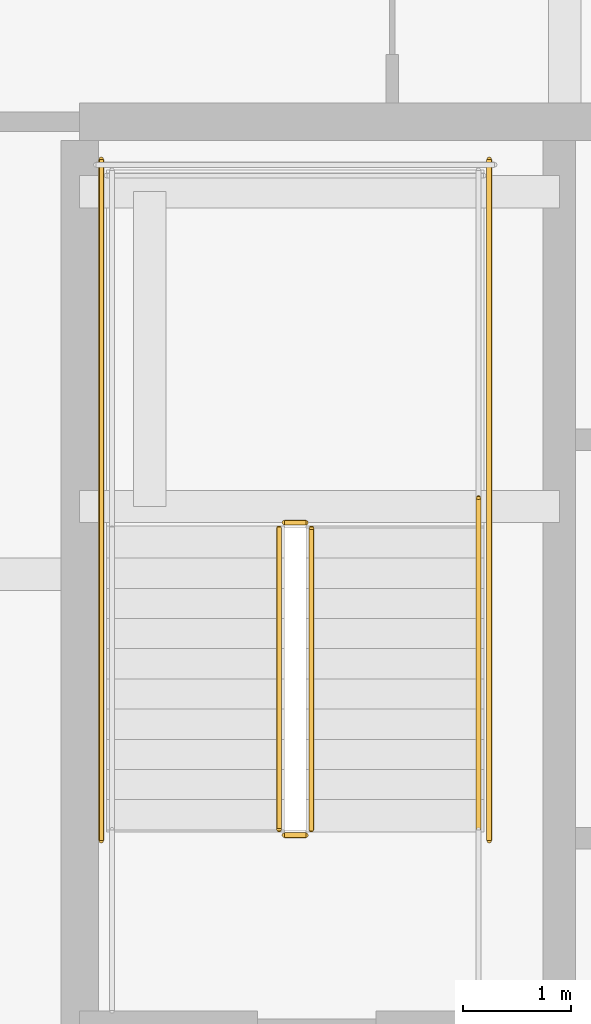
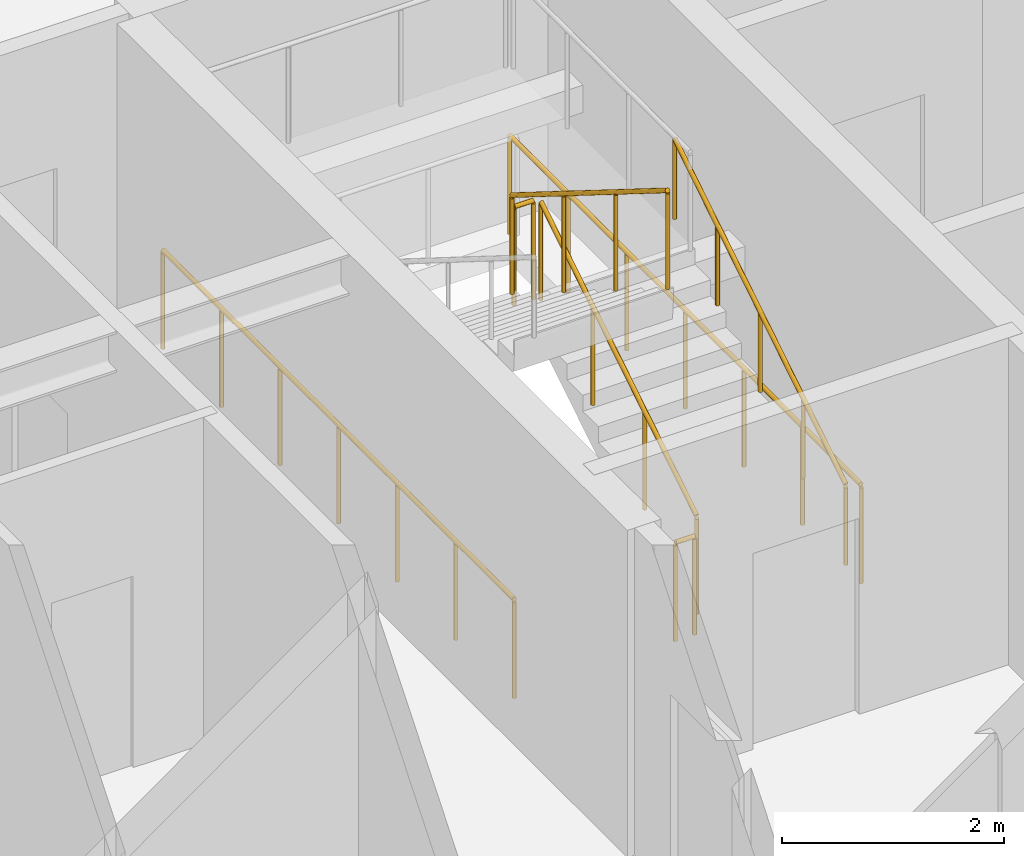
# One storey, part 34 of 37: 7 railings.
"""IFC4 building model written with IfcOpenShell, lengths in metres."""

from ifc_helpers import new_model, si_unit, direction, frame, origin, origin_2d, place, context, subcontext, project, spatial, circle, extrude, material, type_object, element, save


model = new_model("IFC4")

# Units and contexts
model_context = context("Model", 3, precision=1e-05, world=origin(), true_north=direction((0.0, 1.0)))
body_context = subcontext(model_context, "Body", "Model", "MODEL_VIEW")
ifc_project = project(units=[si_unit("LENGTHUNIT", "METRE"), si_unit("AREAUNIT", "SQUARE_METRE"), si_unit("VOLUMEUNIT", "CUBIC_METRE"), si_unit("PLANEANGLEUNIT", "RADIAN"), si_unit("MASSUNIT", "GRAM", prefix="KILO")], contexts=[model_context])

# Site, building, storey
site_placement = place(None, origin())
site = spatial("IfcSite", under=ifc_project, at=site_placement, CompositionType="ELEMENT")
building_placement = place(site_placement, origin())
building = spatial("IfcBuilding", under=site, at=building_placement, Name="Serunith Strait Residences", CompositionType="ELEMENT")
storey_placement = place(building_placement, frame((0.0, 0.0, 275.89990234375)))
storey = spatial("IfcBuildingStorey", under=building, at=storey_placement, Name="L69", CompositionType="ELEMENT", Elevation=275.89990234375)

# Railings
ifc_material = material(Name="Brushed stainless steel 316L", Category="steel")
railing_type_1 = type_object("IfcRailingType", Name="RLG-STAIR-GUARD", PredefinedType="BALUSTRADE", material=ifc_material)
railing_1_placement = place(storey_placement, frame((25.550048828125, 27.030029296875, 0.175048828125)))
element("IfcRailing", 1, at=railing_1_placement, inside=storey, type_object=railing_type_1, Name="L69 ST-1 stair guard 1", PredefinedType="BALUSTRADE", context=body_context, shape_type="SweptSolid", body=[
    extrude(circle(Radius=0.02392578125, at=origin_2d()), frame((0.0, 0.001708984375, 1.0771484375), z_axis=(0.0, 0.848002457836, 0.529992293815), x_axis=(-1.0, 0.0, 0.0)), (0.0, 0.0, 1.0), 3.2978515625),
    extrude(circle(Radius=0.02099609375, at=origin_2d()), origin(), (0.0, 0.0, 1.0), 1.050048828125),
    extrude(circle(Radius=0.02099609375, at=origin_2d()), frame((0.0, 0.933349609375, 0.583251953125)), (0.0, 0.0, 1.0), 1.050048828125),
    extrude(circle(Radius=0.02099609375, at=origin_2d()), frame((0.0, 1.86669921875, 1.166748046875)), (0.0, 0.0, 1.0), 1.050048828125),
    extrude(circle(Radius=0.02099609375, at=origin_2d()), frame((0.0, 2.800048828125, 1.75)), (0.0, 0.0, 1.0), 1.050048828125),
])
railing_2_placement = place(storey_placement, frame((25.5, 29.8798828125, 1.925048828125)))
element("IfcRailing", 2, at=railing_2_placement, inside=storey, type_object=railing_type_1, Name="L69 ST-1 stair guard 2", PredefinedType="BALUSTRADE", context=body_context, shape_type="SweptSolid", body=[
    extrude(circle(Radius=0.02392578125, at=origin_2d()), frame((-0.001953125, 0.0, 1.076171875), z_axis=(-1.0, 0.0, 0.0), x_axis=(0.0, -1.0, 0.0)), (0.0, 0.0, 1.0), 0.196044921875),
    extrude(circle(Radius=0.02099609375, at=origin_2d()), origin(), (0.0, 0.0, 1.0), 1.050048828125),
    extrude(circle(Radius=0.02099609375, at=origin_2d()), frame((-0.199951171875, 0.0, 0.0)), (0.0, 0.0, 1.0), 1.050048828125),
])
railing_3_placement = place(storey_placement, frame((25.25, 29.830078125, 2.10009765625)))
element("IfcRailing", 3, at=railing_3_placement, inside=storey, type_object=railing_type_1, Name="L69 ST-1 stair guard 6", PredefinedType="BALUSTRADE", context=body_context, shape_type="SweptSolid", body=[
    extrude(circle(Radius=0.02392578125, at=origin_2d()), frame((0.0, -0.001708984375, 1.0771484375), z_axis=(0.0, -0.848002457836, 0.529992293815), x_axis=(1.0, 0.0, 0.0)), (0.0, 0.0, 1.0), 3.2978515625),
    extrude(circle(Radius=0.02099609375, at=origin_2d()), origin(), (0.0, 0.0, 1.0), 1.050048828125),
    extrude(circle(Radius=0.02099609375, at=origin_2d()), frame((0.0, -0.933349609375, 0.583251953125)), (0.0, 0.0, 1.0), 1.050048828125),
    extrude(circle(Radius=0.02099609375, at=origin_2d()), frame((0.0, -1.86669921875, 1.166748046875)), (0.0, 0.0, 1.0), 1.050048828125),
    extrude(circle(Radius=0.02099609375, at=origin_2d()), frame((0.0, -2.800048828125, 1.75)), (0.0, 0.0, 1.0), 1.050048828125),
])
railing_4_placement = place(storey_placement, frame((25.5, 26.97998046875, 0.0)))
element("IfcRailing", 4, at=railing_4_placement, inside=storey, type_object=railing_type_1, Name="L69 ST-1 stair guard 7", PredefinedType="BALUSTRADE", context=body_context, shape_type="SweptSolid", body=[
    extrude(circle(Radius=0.02392578125, at=origin_2d()), frame((-0.001953125, 0.0, 1.076171875), z_axis=(-1.0, 0.0, 0.0), x_axis=(0.0, -1.0, 0.0)), (0.0, 0.0, 1.0), 0.196044921875),
    extrude(circle(Radius=0.02099609375, at=origin_2d()), origin(), (0.0, 0.0, 1.0), 1.050048828125),
    extrude(circle(Radius=0.02099609375, at=origin_2d()), frame((-0.199951171875, 0.0, 0.0)), (0.0, 0.0, 1.0), 1.050048828125),
])
for number, where, name in (
    (5, (27.199951171875, 26.929931640625, 0.0), "L69 ST-1 stair guard 10"),
    (6, (23.60009765625, 26.929931640625, 0.0), "L69 ST-1 stair guard 11"),
):
    element("IfcRailing", number, at=place(storey_placement, frame(where)), inside=storey, type_object=railing_type_1, Name=name, PredefinedType="BALUSTRADE", context=body_context, shape_type="SweptSolid", body=[
        extrude(circle(Radius=0.02392578125, at=origin_2d()), frame((0.0, 0.001953125, 1.076171875), z_axis=(0.0, 1.0, 0.0), x_axis=(-1.0, 0.0, 0.0)), (0.0, 0.0, 1.0), 6.316162109375),
        extrude(circle(Radius=0.02099609375, at=origin_2d()), origin(), (0.0, 0.0, 1.0), 1.050048828125),
        extrude(circle(Radius=0.02099609375, at=origin_2d()), frame((0.0, 1.05322265625, 0.0)), (0.0, 0.0, 1.0), 1.050048828125),
        extrude(circle(Radius=0.02099609375, at=origin_2d()), frame((0.0, 2.106689453125, 0.0)), (0.0, 0.0, 1.0), 1.050048828125),
        extrude(circle(Radius=0.02099609375, at=origin_2d()), frame((0.0, 3.16015625, 0.0)), (0.0, 0.0, 1.0), 1.050048828125),
        extrude(circle(Radius=0.02099609375, at=origin_2d()), frame((0.0, 4.21337890625, 0.0)), (0.0, 0.0, 1.0), 1.050048828125),
        extrude(circle(Radius=0.02099609375, at=origin_2d()), frame((0.0, 5.2666015625, 0.0)), (0.0, 0.0, 1.0), 1.050048828125),
        extrude(circle(Radius=0.02099609375, at=origin_2d()), frame((0.0, 6.320068359375, 0.0)), (0.0, 0.0, 1.0), 1.050048828125),
    ])
railing_type_2 = type_object("IfcRailingType", Name="RLG-STAIR-HR", PredefinedType="HANDRAIL", material=ifc_material)
railing_5_placement = place(storey_placement, frame((27.10009765625, 27.030029296875, 0.175048828125)))
element("IfcRailing", 7, at=railing_5_placement, inside=storey, type_object=railing_type_2, Name="L69 ST-1 stair handrail 1", PredefinedType="HANDRAIL", context=body_context, shape_type="SweptSolid", body=[
    extrude(circle(Radius=0.02392578125, at=origin_2d()), frame((0.0, 0.001708984375, 0.876953125), z_axis=(0.0, 0.847393994688, 0.530964610654), x_axis=(-1.0, 0.0, 0.0)), (0.0, 0.0, 1.0), 3.630859375),
    extrude(circle(Radius=0.02099609375, at=origin_2d()), origin(), (0.0, 0.0, 1.0), 0.849853515625),
    extrude(circle(Radius=0.02099609375, at=origin_2d()), frame((0.0, 0.77001953125, 0.482421875)), (0.0, 0.0, 1.0), 0.849853515625),
    extrude(circle(Radius=0.02099609375, at=origin_2d()), frame((0.0, 1.5400390625, 0.96484375)), (0.0, 0.0, 1.0), 0.849853515625),
    extrude(circle(Radius=0.02099609375, at=origin_2d()), frame((0.0, 2.31005859375, 1.447509765625)), (0.0, 0.0, 1.0), 0.849853515625),
    extrude(circle(Radius=0.02099609375, at=origin_2d()), frame((0.0, 3.080078125, 1.929931640625)), (0.0, 0.0, 1.0), 0.849853515625),
])

save(model, "model.ifc")
